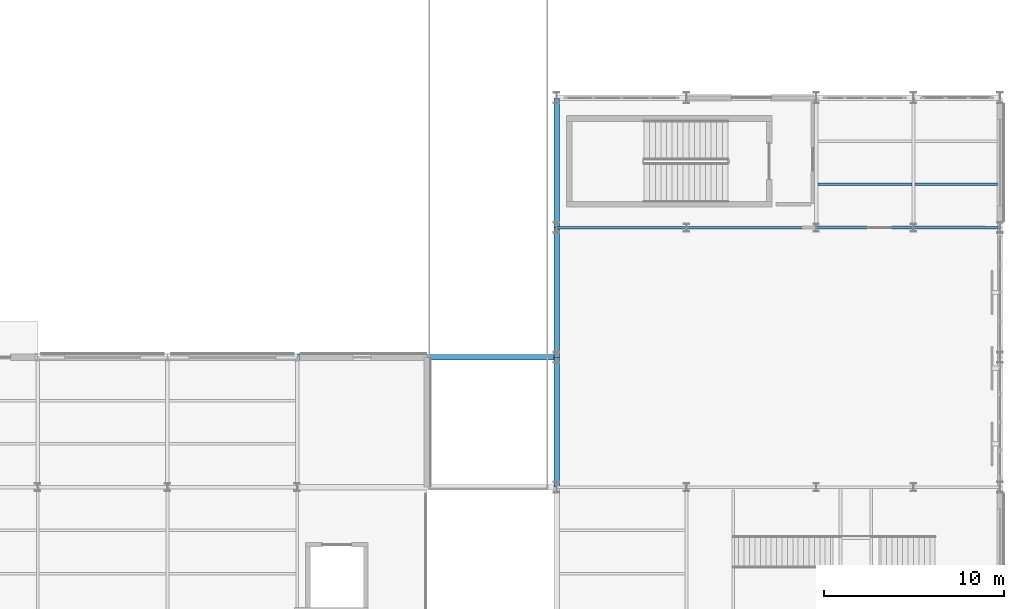
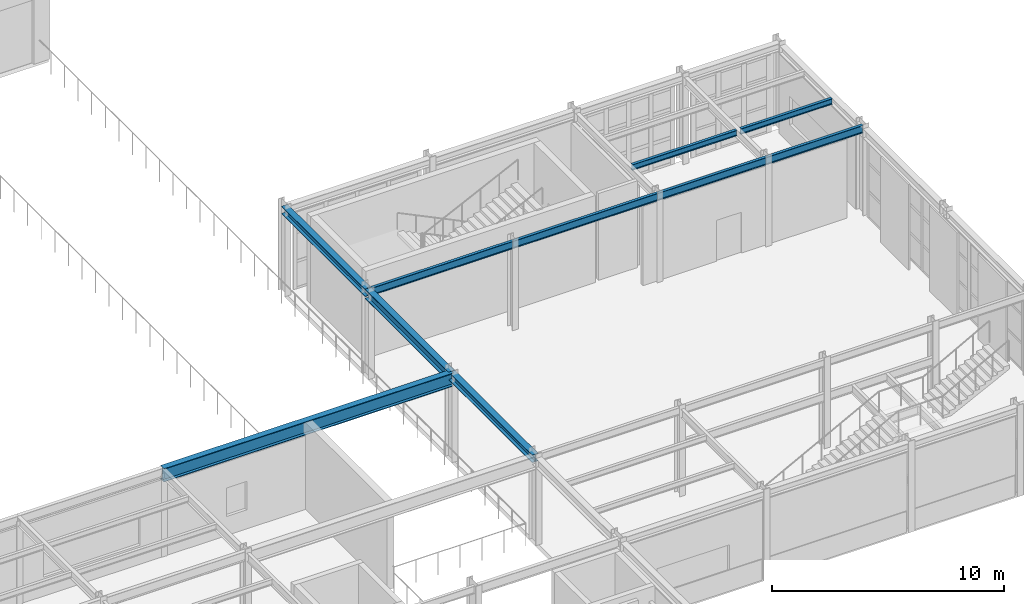
# One storey, part 43 of 83: 10 beams.
"""IFC4 building model written with IfcOpenShell, lengths in metres."""

from ifc_helpers import new_model, si_unit, direction, frame, origin, origin_2d, place, context, subcontext, project, spatial, i_section, extrude, material, material_profile, profile_set, type_object, element, save


model = new_model("IFC4")

# Units and contexts
model_context = context("Model", 3, precision=1e-05, world=origin(), true_north=direction((0.0, 1.0)))
body_context = subcontext(model_context, "Body", "Model", "MODEL_VIEW")
ifc_project = project(units=[si_unit("LENGTHUNIT", "METRE"), si_unit("AREAUNIT", "SQUARE_METRE"), si_unit("VOLUMEUNIT", "CUBIC_METRE"), si_unit("PLANEANGLEUNIT", "RADIAN"), si_unit("MASSUNIT", "GRAM", prefix="KILO")], contexts=[model_context])

# Site, building, storey
site_placement = place(None, origin())
site = spatial("IfcSite", under=ifc_project, at=site_placement, CompositionType="ELEMENT")
building_placement = place(site_placement, origin())
building = spatial("IfcBuilding", under=site, at=building_placement, Name="Solvadek Multi-Sports Hall", CompositionType="ELEMENT")
storey_placement = place(building_placement, origin())
storey = spatial("IfcBuildingStorey", under=building, at=storey_placement, Name="L00", CompositionType="ELEMENT", Elevation=0.0)

# Beams
ifc_material = material(Name="Steel E350 (350 MPa)", Category="steel")
ifc_material_profile_1 = material_profile(ifc_material, i_section(OverallWidth=0.139892578125, OverallDepth=0.39990234375, WebThickness=0.0087890625, FlangeThickness=0.01611328125, at=origin_2d()), Name="ISMB 400")
ifc_profile_set_1 = profile_set([ifc_material_profile_1], Name="Steel E350 (350 MPa)")
beam_type_1 = type_object("IfcBeamType", Name="STR-BM-ISMB400", PredefinedType="BEAM", material=ifc_profile_set_1)
for number, where, z_axis, x_axis, name in (
    (1, (136.800048828125, 63.60009765625, 4.3798828125), (1.0, 0.0, 0.0), (0.0, 1.0, 0.0), "L00 Girder B-10 #648"),
    (2, (144.0, 63.60009765625, 4.3798828125), (1.0, 0.0, 0.0), (0.0, 1.0, 0.0), "L00 Girder B-10 #649"),
):
    element("IfcBeam", number, at=place(storey_placement, frame(where, z_axis=z_axis, x_axis=x_axis)), inside=storey, type_object=beam_type_1, Name=name, PredefinedType="BEAM", context=body_context, shape_type="SweptSolid", body=[
        extrude(i_section(OverallWidth=0.139892578125, OverallDepth=0.39990234375, WebThickness=0.0087890625, FlangeThickness=0.01611328125, at=origin_2d()), origin(), (0.0, 0.0, 1.0), 7.199951171875),
    ])
beam_1_placement = place(storey_placement, frame((151.199951171875, 63.60009765625, 4.3798828125), z_axis=(1.0, 0.0, 0.0), x_axis=(0.0, 1.0, 0.0)))
element("IfcBeam", 3, at=beam_1_placement, inside=storey, type_object=beam_type_1, Name="L00 Girder B-10 #650", PredefinedType="BEAM", context=body_context, shape_type="SweptSolid", body=[
    extrude(i_section(OverallWidth=0.139892578125, OverallDepth=0.39990234375, WebThickness=0.0087890625, FlangeThickness=0.01611328125, at=origin_2d()), origin(), (0.0, 0.0, 1.0), 5.400146484375),
])
beam_2_placement = place(storey_placement, frame((156.60009765625, 63.60009765625, 4.3798828125), z_axis=(1.0, 0.0, 0.0), x_axis=(0.0, 1.0, 0.0)))
element("IfcBeam", 4, at=beam_2_placement, inside=storey, type_object=beam_type_1, Name="L00 Girder B-10 #651", PredefinedType="BEAM", context=body_context, shape_type="SweptSolid", body=[
    extrude(i_section(OverallWidth=0.139892578125, OverallDepth=0.39990234375, WebThickness=0.0087890625, FlangeThickness=0.01611328125, at=origin_2d()), origin(), (0.0, 0.0, 1.0), 4.7998046875),
])
ifc_material_profile_2 = material_profile(ifc_material, i_section(OverallWidth=0.300048828125, OverallDepth=0.699951171875, WebThickness=0.01708984375, FlangeThickness=0.031982421875, at=origin_2d()), Name="WPB 700")
ifc_profile_set_2 = profile_set([ifc_material_profile_2], Name="Steel E350 (350 MPa)")
beam_type_2 = type_object("IfcBeamType", Name="STR-BM-WPB700", PredefinedType="BEAM", material=ifc_profile_set_2)
beam_3_placement = place(storey_placement, frame((122.39990234375, 56.39990234375, 4.22998046875), z_axis=(1.0, 0.0, 0.0), x_axis=(0.0, 1.0, 0.0)))
element("IfcBeam", 5, at=beam_3_placement, inside=storey, type_object=beam_type_2, Name="L00 Girder B-01 #636", PredefinedType="BEAM", context=body_context, shape_type="SweptSolid", body=[
    extrude(i_section(OverallWidth=0.300048828125, OverallDepth=0.699951171875, WebThickness=0.01708984375, FlangeThickness=0.031982421875, at=origin_2d()), origin(), (0.0, 0.0, 1.0), 14.400146484375),
])
ifc_material_profile_3 = material_profile(ifc_material, i_section(OverallWidth=0.139892578125, OverallDepth=0.300048828125, WebThickness=0.0078125, FlangeThickness=0.01318359375, at=origin_2d()), Name="ISMB 300")
ifc_profile_set_3 = profile_set([ifc_material_profile_3], Name="Steel E350 (350 MPa)")
beam_type_3 = type_object("IfcBeamType", Name="STR-JST-ISMB300", PredefinedType="JOIST", material=ifc_profile_set_3)
beam_4_placement = place(storey_placement, frame((151.294921875, 66.0, 4.429931640625), z_axis=(1.0, 0.0, 0.0), x_axis=(0.0, 1.0, 0.0)))
element("IfcBeam", 6, at=beam_4_placement, inside=storey, type_object=beam_type_3, Name="L00 Composite Joist J-03 #506", PredefinedType="JOIST", context=body_context, shape_type="SweptSolid", body=[
    extrude(i_section(OverallWidth=0.139892578125, OverallDepth=0.300048828125, WebThickness=0.0078125, FlangeThickness=0.01318359375, at=origin_2d()), origin(), (0.0, 0.0, 1.0), 5.2099609375),
])
beam_5_placement = place(storey_placement, frame((156.695068359375, 66.0, 4.429931640625), z_axis=(1.0, 0.0, 0.0), x_axis=(0.0, 1.0, 0.0)))
element("IfcBeam", 7, at=beam_5_placement, inside=storey, type_object=beam_type_3, Name="L00 Composite Joist J-03 #508", PredefinedType="JOIST", context=body_context, shape_type="SweptSolid", body=[
    extrude(i_section(OverallWidth=0.139892578125, OverallDepth=0.300048828125, WebThickness=0.0078125, FlangeThickness=0.01318359375, at=origin_2d()), origin(), (0.0, 0.0, 1.0), 4.554931640625),
])
ifc_material_profile_4 = material_profile(ifc_material, i_section(OverallWidth=0.300048828125, OverallDepth=0.39990234375, WebThickness=0.013427734375, FlangeThickness=0.02392578125, at=origin_2d()), Name="WPB 400")
ifc_profile_set_4 = profile_set([ifc_material_profile_4], Name="Steel E350 (350 MPa)")
beam_type_4 = type_object("IfcBeamType", Name="STR-SPN-WPB400", PredefinedType="SPANDREL", material=ifc_profile_set_4)
for number, where, z_axis, x_axis, name in (
    (8, (136.800048828125, 49.199951171875, 4.3798828125), (0.0, 1.0, 0.0), (-1.0, 0.0, 0.0), "L00 Girder SP-02 #934"),
    (9, (136.800048828125, 63.60009765625, 4.3798828125), (0.0, 1.0, 0.0), (-1.0, 0.0, 0.0), "L00 Girder SP-02 #936"),
):
    element("IfcBeam", number, at=place(storey_placement, frame(where, z_axis=z_axis, x_axis=x_axis)), inside=storey, type_object=beam_type_4, Name=name, PredefinedType="SPANDREL", context=body_context, shape_type="SweptSolid", body=[
        extrude(i_section(OverallWidth=0.300048828125, OverallDepth=0.39990234375, WebThickness=0.013427734375, FlangeThickness=0.02392578125, at=origin_2d()), origin(), (0.0, 0.0, 1.0), 7.199951171875),
    ])
ifc_material_profile_5 = material_profile(ifc_material, i_section(OverallWidth=0.300048828125, OverallDepth=0.5, WebThickness=0.014404296875, FlangeThickness=0.028076171875, at=origin_2d()), Name="WPB 500")
ifc_profile_set_5 = profile_set([ifc_material_profile_5], Name="Steel E350 (350 MPa)")
beam_type_5 = type_object("IfcBeamType", Name="STR-SPN-WPB500", PredefinedType="SPANDREL", material=ifc_profile_set_5)
beam_6_placement = place(storey_placement, frame((136.800048828125, 56.39990234375, 4.330078125), z_axis=(0.0, 1.0, 0.0), x_axis=(-1.0, 0.0, 0.0)))
element("IfcBeam", 10, at=beam_6_placement, inside=storey, type_object=beam_type_5, Name="L00 Girder SP-01 #935", PredefinedType="SPANDREL", context=body_context, shape_type="SweptSolid", body=[
    extrude(i_section(OverallWidth=0.300048828125, OverallDepth=0.5, WebThickness=0.014404296875, FlangeThickness=0.028076171875, at=origin_2d()), origin(), (0.0, 0.0, 1.0), 7.2001953125),
])

save(model, "model.ifc")
